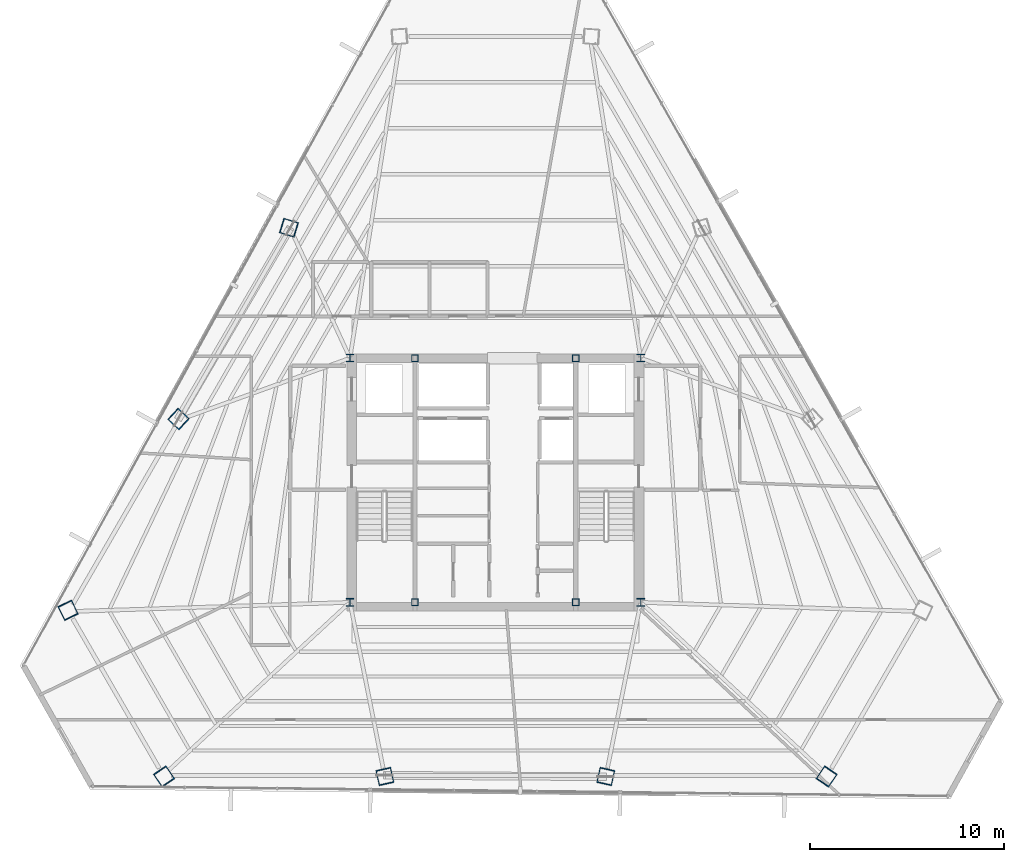
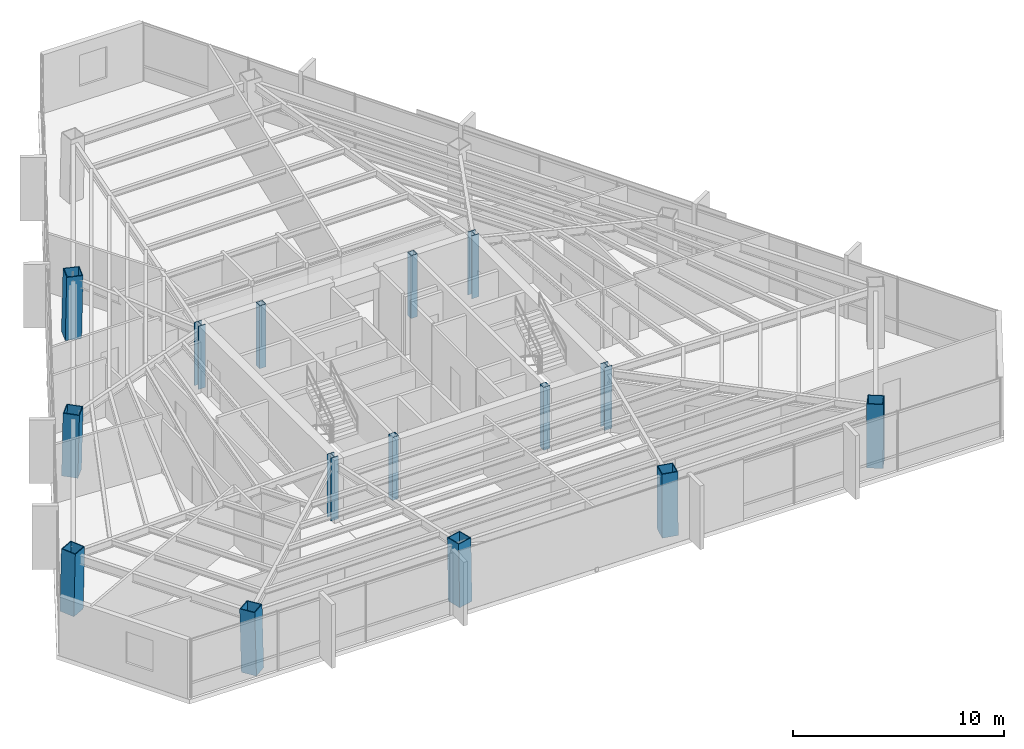
# One storey, part 1 of 41: 15 columns.
"""IFC4 building model written with IfcOpenShell, lengths in metres."""

import ifcopenshell
import ifcopenshell.guid

model = None  # the IFC model being written
_history = None  # IfcOwnerHistory: only IFC2X3 demands one
_inside = {}  # id of a spatial element -> (the spatial element, [elements in it])
_under = {}  # id of a project, library or spatial element -> (it, [spatial elements below it])
_declared = {}  # id of a project -> (the project, [libraries it declares])
_typed = {}  # id of a type object -> (the type object, [elements of that type])
_made_of = {}  # id of a material, layer set ... -> (it, [elements and type objects made of it])


def new_model(schema):
    """Start an empty IFC model of exactly this schema.

    Asked for "IFC4X3", IfcOpenShell would pick the latest addendum, in which some entities
    have other attributes; the version numbers below select the first issue.
    IFC2X3 requires an IfcOwnerHistory on every rooted entity: one is made here for all.
    """
    global model, _history
    if schema == "IFC4X3":
        model = ifcopenshell.file(schema_version=(4, 3, 0, 0))
    else:
        model = ifcopenshell.file(schema=schema)
    _inside.clear()
    _under.clear()
    _declared.clear()
    _typed.clear()
    _made_of.clear()
    _history = None
    if model.schema == "IFC2X3":
        org = make("IfcOrganization", Name="unknown")
        user = make(
            "IfcPersonAndOrganization",
            ThePerson=make("IfcPerson", FamilyName="unknown"),
            TheOrganization=org,
        )
        app = make(
            "IfcApplication",
            ApplicationDeveloper=org,
            Version="unknown",
            ApplicationFullName="unknown",
            ApplicationIdentifier="unknown",
        )
        _history = make(
            "IfcOwnerHistory",
            OwningUser=user,
            OwningApplication=app,
            ChangeAction="ADDED",
            CreationDate=0,
        )
    return model


def make(cls, **values):
    """One entity of the class cls with the attributes given. An attribute that is None is left unset."""
    return model.create_entity(
        cls, **{name: value for name, value in values.items() if value is not None}
    )


def rooted(cls, **values):
    """An entity with a GlobalId (a new one), such as an element, a storey or a relation."""
    return make(cls, GlobalId=ifcopenshell.guid.new(), OwnerHistory=_history, **values)


def si_unit(unit_type, name, prefix=None):
    """IfcSIUnit, for example si_unit("LENGTHUNIT", "METRE", prefix="MILLI")."""
    return make("IfcSIUnit", UnitType=unit_type, Prefix=prefix, Name=name)


def assignment(units):
    """IfcUnitAssignment: the units of a project."""
    return None if units is None else make("IfcUnitAssignment", Units=units)


def point(xyz):
    """IfcCartesianPoint."""
    return None if xyz is None else make("IfcCartesianPoint", Coordinates=xyz)


def direction(xyz):
    """IfcDirection."""
    return None if xyz is None else make("IfcDirection", DirectionRatios=xyz)


def frame(location, z_axis=None, x_axis=None):
    """IfcAxis2Placement3D, a coordinate frame: its origin and axes. An axis left out is left unset."""
    return make(
        "IfcAxis2Placement3D",
        Location=point(location),
        Axis=direction(z_axis),
        RefDirection=direction(x_axis),
    )


def frame_2d(location, x_axis=None):
    """IfcAxis2Placement2D, a coordinate frame in the plane: its origin and x axis."""
    return make(
        "IfcAxis2Placement2D", Location=point(location), RefDirection=direction(x_axis)
    )


def origin():
    """The frame at (0, 0, 0) with its axes left unset."""
    return frame((0.0, 0.0, 0.0))


def origin_2d():
    """The frame at (0, 0) in the plane with its x axis left unset."""
    return frame_2d((0.0, 0.0))


def place(relative_to, where):
    """IfcLocalPlacement: puts the frame where relative to a parent placement (None: the world)."""
    return make(
        "IfcLocalPlacement", PlacementRelTo=relative_to, RelativePlacement=where
    )


def context(
    kind, dimensions, precision=None, world=None, true_north=None, identifier=None
):
    """IfcGeometricRepresentationContext, for example the 3D "Model" context."""
    return make(
        "IfcGeometricRepresentationContext",
        ContextIdentifier=identifier,
        ContextType=kind,
        CoordinateSpaceDimension=dimensions,
        Precision=precision,
        WorldCoordinateSystem=world,
        TrueNorth=true_north,
    )


def subcontext(parent, identifier, kind, view, scale=None):
    """IfcGeometricRepresentationSubContext, for example "Body" below "Model"."""
    return make(
        "IfcGeometricRepresentationSubContext",
        ContextIdentifier=identifier,
        ContextType=kind,
        ParentContext=parent,
        TargetScale=scale,
        TargetView=view,
    )


def project(units=None, contexts=None):
    """IfcProject with its units and contexts."""
    return rooted(
        "IfcProject",
        Name="project",
        RepresentationContexts=contexts,
        UnitsInContext=assignment(units),
    )


def spatial(cls, under=None, at=None, **own):
    """A site, building, storey or space (cls), placed at a placement, below another one or the project."""
    s = rooted(cls, ObjectPlacement=at, **own)
    if under is not None:
        _under.setdefault(under.id(), (under, []))[1].append(s)
    return s


def profile(cls, at=None, kind="AREA", **sizes):
    """A parametric profile (cls). Its sizes go by their IFC names, for example OverallWidth=200.0."""
    return make(cls, ProfileType=kind, Position=at, **sizes)


def hollow_rectangle(**sizes):
    """IfcRectangleHollowProfileDef."""
    return profile("IfcRectangleHollowProfileDef", **sizes)


def i_section(**sizes):
    """IfcIShapeProfileDef."""
    return profile("IfcIShapeProfileDef", **sizes)


def extrude(swept, where, along, depth):
    """IfcExtrudedAreaSolid: the profile swept, set in the frame where, extruded along a direction by depth."""
    return make(
        "IfcExtrudedAreaSolid",
        SweptArea=swept,
        Position=where,
        ExtrudedDirection=direction(along),
        Depth=depth,
    )


def shape(context_of_items, identifier, shape_type, items):
    """IfcShapeRepresentation: the items that make up one representation, for example the "Body"."""
    return make(
        "IfcShapeRepresentation",
        ContextOfItems=context_of_items,
        RepresentationIdentifier=identifier,
        RepresentationType=shape_type,
        Items=items,
    )


def source(mapping_origin, context_of_items, identifier, shape_type, items):
    """IfcRepresentationMap: a shape defined once, which mapped items show again and again."""
    return make(
        "IfcRepresentationMap",
        MappingOrigin=mapping_origin,
        MappedRepresentation=shape(context_of_items, identifier, shape_type, items),
    )


def transform(
    local_origin,
    x_axis=None,
    y_axis=None,
    z_axis=None,
    scale=None,
    scale2=None,
    scale3=None,
    uniform=True,
):
    """IfcCartesianTransformationOperator3D, or its non-uniform kind. x_axis, y_axis, z_axis: its Axis1, 2, 3."""
    if uniform:
        return make(
            "IfcCartesianTransformationOperator3D",
            Axis1=direction(x_axis),
            Axis2=direction(y_axis),
            LocalOrigin=point(local_origin),
            Scale=scale,
            Axis3=direction(z_axis),
        )
    return make(
        "IfcCartesianTransformationOperator3DnonUniform",
        Axis1=direction(x_axis),
        Axis2=direction(y_axis),
        LocalOrigin=point(local_origin),
        Scale=scale,
        Axis3=direction(z_axis),
        Scale2=scale2,
        Scale3=scale3,
    )


def mapped(mapping_source, mapping_target):
    """IfcMappedItem: shows the shape of a source again, moved by a transform."""
    return make(
        "IfcMappedItem", MappingSource=mapping_source, MappingTarget=mapping_target
    )


def material(Name=None, Category=None):
    """IfcMaterial."""
    return make("IfcMaterial", Name=Name, Category=Category)


def material_profile(
    of_material, cross_section, Name=None, Category=None, Priority=None
):
    """IfcMaterialProfile: a cross section and its material."""
    return make(
        "IfcMaterialProfile",
        Name=Name,
        Material=of_material,
        Profile=cross_section,
        Priority=Priority,
        Category=Category,
    )


def profile_set(profiles, Name=None, composite=None):
    """IfcMaterialProfileSet."""
    return make(
        "IfcMaterialProfileSet",
        Name=Name,
        MaterialProfiles=profiles,
        CompositeProfile=composite,
    )


def made_of(thing, what):
    """Note that an element or type object is made of a material, layer set ...; save() writes the relation."""
    if what is not None:
        _made_of.setdefault(what.id(), (what, []))[1].append(thing)
    return thing


def type_object(cls, material=None, **own):
    """A type object (cls), such as IfcWallType, which elements share."""
    return made_of(rooted(cls, **own), material)


def type_shapes(of_type, sources):
    """Give a type object the sources (RepresentationMaps) that its elements show as mapped items."""
    of_type.RepresentationMaps = sources


def element(
    cls,
    number,
    at=None,
    inside=None,
    cuts=None,
    type_object=None,
    material=None,
    context=None,
    identifier="Body",
    shape_type=None,
    held_by="IfcProductDefinitionShape",
    body=None,
    shapes=None,
    **own,
):
    """One element of the class cls, such as IfcWall. Its Tag is "e" and its number.

    at: its placement. inside: the storey or other place that contains it. cuts: it is an
    opening in that element (IfcRelVoidsElement). A single representation is given by context,
    identifier, shape_type and body (its items); several are given by shapes. held_by: the class
    of the entity that holds the representations. save() writes the other relations.
    """
    e = rooted(cls, Tag="e%d" % number, ObjectPlacement=at, **own)
    if body is not None:
        shapes = [shape(context, identifier, shape_type, body)]
    if shapes is not None:
        e.Representation = make(held_by, Representations=shapes)
    if inside is not None:
        _inside.setdefault(inside.id(), (inside, []))[1].append(e)
    if cuts is not None:
        rooted(
            "IfcRelVoidsElement", RelatingBuildingElement=cuts, RelatedOpeningElement=e
        )
    if type_object is not None:
        _typed.setdefault(type_object.id(), (type_object, []))[1].append(e)
    return made_of(e, material)


def aggregate(whole, parts):
    """IfcRelAggregates: a whole, such as a stair, and the parts it consists of."""
    return rooted("IfcRelAggregates", RelatingObject=whole, RelatedObjects=parts)


def save(model, path):
    """Write the relations noted so far, then the file.

    IfcRelAggregates (storeys below a building ...), IfcRelContainedInSpatialStructure (elements
    in a storey), IfcRelDefinesByType, IfcRelAssociatesMaterial and IfcRelDeclares: one each for
    every whole, place, type object, material and project.
    """
    for whole, parts in _under.values():
        aggregate(whole, parts)
    for where, things in _inside.values():
        rooted(
            "IfcRelContainedInSpatialStructure",
            RelatedElements=things,
            RelatingStructure=where,
        )
    for kind, things in _typed.values():
        rooted("IfcRelDefinesByType", RelatedObjects=things, RelatingType=kind)
    for what, things in _made_of.values():
        rooted("IfcRelAssociatesMaterial", RelatedObjects=things, RelatingMaterial=what)
    for by, libraries in _declared.values():
        rooted("IfcRelDeclares", RelatingContext=by, RelatedDefinitions=libraries)
    model.write(path)


model = new_model("IFC4")

# Units and contexts
model_context = context("Model", 3, precision=1e-05, world=origin(), true_north=direction((0.0, 1.0)))
body_context = subcontext(model_context, "Body", "Model", "MODEL_VIEW")
ifc_project = project(units=[si_unit("LENGTHUNIT", "METRE"), si_unit("AREAUNIT", "SQUARE_METRE"), si_unit("VOLUMEUNIT", "CUBIC_METRE"), si_unit("PLANEANGLEUNIT", "RADIAN"), si_unit("MASSUNIT", "GRAM", prefix="KILO")], contexts=[model_context])

# Site, building, storey
site_placement = place(None, origin())
site = spatial("IfcSite", under=ifc_project, at=site_placement, CompositionType="ELEMENT")
building_placement = place(site_placement, origin())
building = spatial("IfcBuilding", under=site, at=building_placement, Name="Caelisora Broadcast Tower", CompositionType="ELEMENT")
storey_placement = place(building_placement, frame((0.0, 0.0, 209.60009765625)))
storey = spatial("IfcBuildingStorey", under=building, at=storey_placement, Name="L55", CompositionType="ELEMENT", Elevation=209.60009765625)

# Columns
ifc_material_1 = material(Name="Steel Grade 350 (AS/NZS 3679.2)", Category="steel")
ifc_material_profile_1 = material_profile(ifc_material_1, i_section(OverallWidth=0.39990234375, OverallDepth=0.39990234375, WebThickness=0.02001953125, FlangeThickness=0.031982421875, at=origin_2d()), Name="Steel Grade 350 (AS/NZS 3679.2)")
ifc_profile_set_1 = profile_set([ifc_material_profile_1], Name="Steel Grade 350 (AS/NZS 3679.2)")
column_type_1 = type_object("IfcColumnType", Name="CC02", PredefinedType="COLUMN", material=ifc_profile_set_1)
shared_shape_1 = source(origin(), body_context, "Body", "SweptSolid", [
    extrude(i_section(OverallWidth=0.39990234375, OverallDepth=0.39990234375, WebThickness=0.02001953125, FlangeThickness=0.031982421875, at=origin_2d()), origin(), (0.0, 0.0, 1.0), 3.64990234375),
])
type_shapes(column_type_1, [shared_shape_1])
for number, where, z_axis, x_axis, name in (
    (1, (30.5, 17.39990234375, 0.0), (0.0, 0.0, 1.0), (1.0, 0.0, 0.0), "L55 column CC02"),
    (2, (45.5, 17.39990234375, 0.0), (0.0, 0.0, 1.0), (1.0, 0.0, 0.0), "L55 column CC02"),
    (3, (45.5, 30.0, 0.0), (0.0, 0.0, 1.0), (1.0, 0.0, 0.0), "L55 column CC02"),
    (4, (30.5, 30.0, 0.0), (0.0, 0.0, 1.0), (1.0, 0.0, 0.0), "L55 column CC02"),
):
    element("IfcColumn", number, at=place(storey_placement, frame(where, z_axis=z_axis, x_axis=x_axis)), inside=storey, type_object=column_type_1, Name=name, PredefinedType="COLUMN", context=body_context, shape_type="MappedRepresentation", body=[
        mapped(shared_shape_1, transform((0.0, 0.0, 0.0), scale=1.0)),
    ])
ifc_material_2 = material(Name="Steel Grade 350 (AS/NZS 1163 C350L0)", Category="steel")
ifc_material_profile_2 = material_profile(ifc_material_2, hollow_rectangle(XDim=0.35009765625, YDim=0.35009765625, WallThickness=0.01611328125, at=origin_2d()), Name="Steel Grade 350 (AS/NZS 1163 C350L0)")
ifc_profile_set_2 = profile_set([ifc_material_profile_2], Name="Steel Grade 350 (AS/NZS 1163 C350L0)")
column_type_2 = type_object("IfcColumnType", Name="CC07", PredefinedType="COLUMN", material=ifc_profile_set_2)
shared_shape_2 = source(origin(), body_context, "Body", "SweptSolid", [
    extrude(hollow_rectangle(XDim=0.35009765625, YDim=0.35009765625, WallThickness=0.01611328125, at=origin_2d()), origin(), (0.0, 0.0, 1.0), 3.64990234375),
])
type_shapes(column_type_2, [shared_shape_2])
for number, where, z_axis, x_axis, name in (
    (5, (33.85009765625, 17.39990234375, 0.0), (0.0, 0.0, 1.0), (1.0, 0.0, 0.0), "L55 column CC07"),
    (6, (42.14990234375, 17.39990234375, 0.0), (0.0, 0.0, 1.0), (1.0, 0.0, 0.0), "L55 column CC07"),
    (7, (33.85009765625, 30.0, 0.0), (0.0, 0.0, 1.0), (1.0, 0.0, 0.0), "L55 column CC07"),
    (8, (42.14990234375, 30.0, 0.0), (0.0, 0.0, 1.0), (1.0, 0.0, 0.0), "L55 column CC07"),
):
    element("IfcColumn", number, at=place(storey_placement, frame(where, z_axis=z_axis, x_axis=x_axis)), inside=storey, type_object=column_type_2, Name=name, PredefinedType="COLUMN", context=body_context, shape_type="MappedRepresentation", body=[
        mapped(shared_shape_2, transform((0.0, 0.0, 0.0), scale=1.0)),
    ])
ifc_material_3 = material(Name="Steel Grade 350 L15 (AS/NZS 3678)", Category="steel")
ifc_material_profile_3 = material_profile(ifc_material_3, hollow_rectangle(XDim=0.800048828125, YDim=0.800048828125, WallThickness=0.044921875, at=origin_2d()), Name="Steel Grade 350 L15 (AS/NZS 3678)")
ifc_profile_set_3 = profile_set([ifc_material_profile_3], Name="Steel Grade 350 L15 (AS/NZS 3678)")
column_type_3 = type_object("IfcColumnType", Name="MC05", PredefinedType="COLUMN", material=ifc_profile_set_3)
shared_shape_3 = source(origin(), body_context, "Body", "SweptSolid", [
    extrude(hollow_rectangle(XDim=0.800048828125, YDim=0.800048828125, WallThickness=0.044921875, at=origin_2d()), origin(), (0.0, 0.0, 1.0), 3.65087890625),
])
for number, where, z_axis, x_axis, name in (
    (9, (15.952392578125, 17.002685546875, 0.0), (0.010431795422, -0.021532295679, 0.999713727968), (0.899947055326, 0.435999194506, 0.0), "L55 column MC05"),
    (10, (20.91650390625, 8.40478515625, 0.0), (-0.013507807672, 0.019860489499, 0.999711508431), (-0.826874715708, -0.56238617028, 0.0), "L55 column MC05"),
    (11, (55.08349609375, 8.40478515625, 0.0), (0.013507807672, 0.019860489499, 0.999711508431), (-0.826874715708, 0.56238617028, 0.0), "L55 column MC05"),
):
    element("IfcColumn", number, at=place(storey_placement, frame(where, z_axis=z_axis, x_axis=x_axis)), inside=storey, type_object=column_type_3, Name=name, PredefinedType="COLUMN", context=body_context, shape_type="MappedRepresentation", body=[
        mapped(shared_shape_3, transform((0.0, 0.0, 0.0), scale=1.0)),
    ])
shared_shape_4 = source(origin(), body_context, "Body", "SweptSolid", [
    extrude(hollow_rectangle(XDim=0.800048828125, YDim=0.800048828125, WallThickness=0.044921875, at=origin_2d()), origin(), (0.0, 0.0, 1.0), 3.650634765625),
])
type_shapes(column_type_3, [shared_shape_3, shared_shape_4])
for number, where, z_axis, x_axis, name in (
    (12, (27.341552734375, 36.72900390625, 0.0), (0.019394001249, -0.005951952107, 0.999794202314), (0.293390827749, 0.9559925848, 0.0), "L55 column MC05"),
    (13, (21.64697265625, 26.865966796875, 0.0), (0.014913313399, -0.013776424037, 0.999793880369), (0.678553674548, 0.734550822447, 0.0), "L55 column MC05"),
    (14, (32.305419921875, 8.40478515625, 0.0), (-0.004480676264, 0.019862102244, 0.999792688728), (-0.975486508487, -0.220059246022, 0.0), "L55 column MC05"),
    (15, (43.694580078125, 8.40478515625, 0.0), (0.004480676264, 0.019862102244, 0.999792688728), (-0.975486508487, 0.220059246022, 0.0), "L55 column MC05"),
):
    element("IfcColumn", number, at=place(storey_placement, frame(where, z_axis=z_axis, x_axis=x_axis)), inside=storey, type_object=column_type_3, Name=name, PredefinedType="COLUMN", context=body_context, shape_type="MappedRepresentation", body=[
        mapped(shared_shape_4, transform((0.0, 0.0, 0.0), scale=1.0)),
    ])

save(model, "model.ifc")
